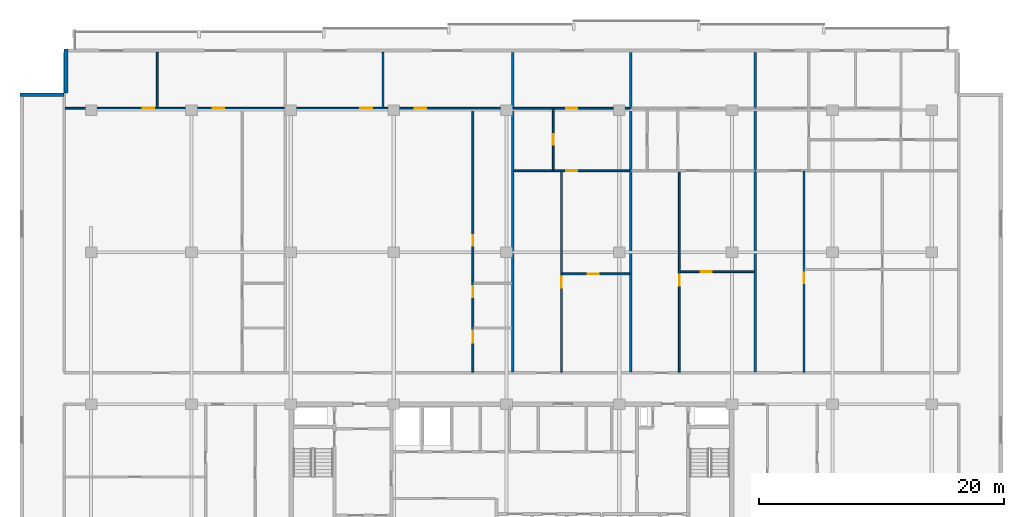
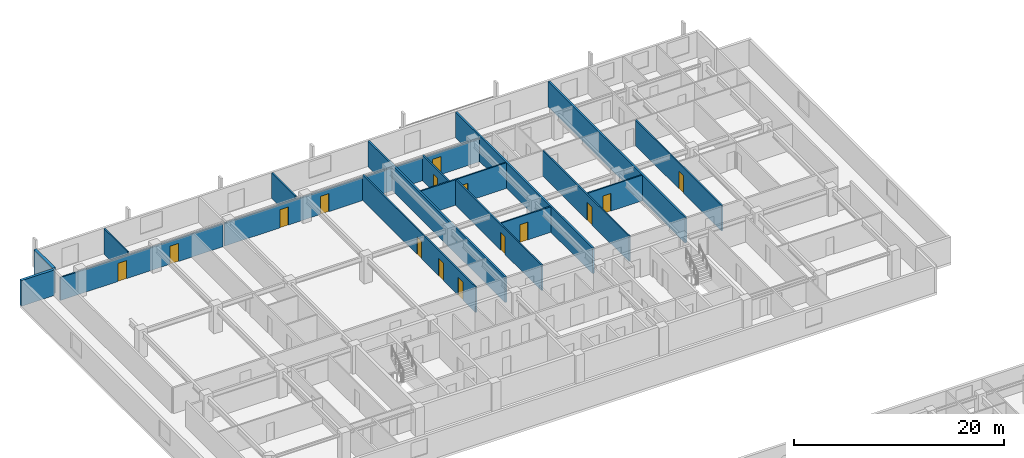
# One storey, part 13 of 21: 18 walls, 15 doors, 15 openings.
"""IFC4 building model written with IfcOpenShell, lengths in metres."""

import ifcopenshell
import ifcopenshell.guid

model = None  # the IFC model being written
_history = None  # IfcOwnerHistory: only IFC2X3 demands one
_inside = {}  # id of a spatial element -> (the spatial element, [elements in it])
_under = {}  # id of a project, library or spatial element -> (it, [spatial elements below it])
_declared = {}  # id of a project -> (the project, [libraries it declares])
_typed = {}  # id of a type object -> (the type object, [elements of that type])
_made_of = {}  # id of a material, layer set ... -> (it, [elements and type objects made of it])


def new_model(schema):
    """Start an empty IFC model of exactly this schema.

    Asked for "IFC4X3", IfcOpenShell would pick the latest addendum, in which some entities
    have other attributes; the version numbers below select the first issue.
    IFC2X3 requires an IfcOwnerHistory on every rooted entity: one is made here for all.
    """
    global model, _history
    if schema == "IFC4X3":
        model = ifcopenshell.file(schema_version=(4, 3, 0, 0))
    else:
        model = ifcopenshell.file(schema=schema)
    _inside.clear()
    _under.clear()
    _declared.clear()
    _typed.clear()
    _made_of.clear()
    _history = None
    if model.schema == "IFC2X3":
        org = make("IfcOrganization", Name="unknown")
        user = make(
            "IfcPersonAndOrganization",
            ThePerson=make("IfcPerson", FamilyName="unknown"),
            TheOrganization=org,
        )
        app = make(
            "IfcApplication",
            ApplicationDeveloper=org,
            Version="unknown",
            ApplicationFullName="unknown",
            ApplicationIdentifier="unknown",
        )
        _history = make(
            "IfcOwnerHistory",
            OwningUser=user,
            OwningApplication=app,
            ChangeAction="ADDED",
            CreationDate=0,
        )
    return model


def make(cls, **values):
    """One entity of the class cls with the attributes given. An attribute that is None is left unset."""
    return model.create_entity(
        cls, **{name: value for name, value in values.items() if value is not None}
    )


def rooted(cls, **values):
    """An entity with a GlobalId (a new one), such as an element, a storey or a relation."""
    return make(cls, GlobalId=ifcopenshell.guid.new(), OwnerHistory=_history, **values)


def si_unit(unit_type, name, prefix=None):
    """IfcSIUnit, for example si_unit("LENGTHUNIT", "METRE", prefix="MILLI")."""
    return make("IfcSIUnit", UnitType=unit_type, Prefix=prefix, Name=name)


def assignment(units):
    """IfcUnitAssignment: the units of a project."""
    return None if units is None else make("IfcUnitAssignment", Units=units)


def point(xyz):
    """IfcCartesianPoint."""
    return None if xyz is None else make("IfcCartesianPoint", Coordinates=xyz)


def direction(xyz):
    """IfcDirection."""
    return None if xyz is None else make("IfcDirection", DirectionRatios=xyz)


def frame(location, z_axis=None, x_axis=None):
    """IfcAxis2Placement3D, a coordinate frame: its origin and axes. An axis left out is left unset."""
    return make(
        "IfcAxis2Placement3D",
        Location=point(location),
        Axis=direction(z_axis),
        RefDirection=direction(x_axis),
    )


def frame_2d(location, x_axis=None):
    """IfcAxis2Placement2D, a coordinate frame in the plane: its origin and x axis."""
    return make(
        "IfcAxis2Placement2D", Location=point(location), RefDirection=direction(x_axis)
    )


def origin():
    """The frame at (0, 0, 0) with its axes left unset."""
    return frame((0.0, 0.0, 0.0))


def place(relative_to, where):
    """IfcLocalPlacement: puts the frame where relative to a parent placement (None: the world)."""
    return make(
        "IfcLocalPlacement", PlacementRelTo=relative_to, RelativePlacement=where
    )


def context(
    kind, dimensions, precision=None, world=None, true_north=None, identifier=None
):
    """IfcGeometricRepresentationContext, for example the 3D "Model" context."""
    return make(
        "IfcGeometricRepresentationContext",
        ContextIdentifier=identifier,
        ContextType=kind,
        CoordinateSpaceDimension=dimensions,
        Precision=precision,
        WorldCoordinateSystem=world,
        TrueNorth=true_north,
    )


def subcontext(parent, identifier, kind, view, scale=None):
    """IfcGeometricRepresentationSubContext, for example "Body" below "Model"."""
    return make(
        "IfcGeometricRepresentationSubContext",
        ContextIdentifier=identifier,
        ContextType=kind,
        ParentContext=parent,
        TargetScale=scale,
        TargetView=view,
    )


def project(units=None, contexts=None):
    """IfcProject with its units and contexts."""
    return rooted(
        "IfcProject",
        Name="project",
        RepresentationContexts=contexts,
        UnitsInContext=assignment(units),
    )


def spatial(cls, under=None, at=None, **own):
    """A site, building, storey or space (cls), placed at a placement, below another one or the project."""
    s = rooted(cls, ObjectPlacement=at, **own)
    if under is not None:
        _under.setdefault(under.id(), (under, []))[1].append(s)
    return s


def profile(cls, at=None, kind="AREA", **sizes):
    """A parametric profile (cls). Its sizes go by their IFC names, for example OverallWidth=200.0."""
    return make(cls, ProfileType=kind, Position=at, **sizes)


def rectangle(**sizes):
    """IfcRectangleProfileDef."""
    return profile("IfcRectangleProfileDef", **sizes)


def extrude(swept, where, along, depth):
    """IfcExtrudedAreaSolid: the profile swept, set in the frame where, extruded along a direction by depth."""
    return make(
        "IfcExtrudedAreaSolid",
        SweptArea=swept,
        Position=where,
        ExtrudedDirection=direction(along),
        Depth=depth,
    )


def shape(context_of_items, identifier, shape_type, items):
    """IfcShapeRepresentation: the items that make up one representation, for example the "Body"."""
    return make(
        "IfcShapeRepresentation",
        ContextOfItems=context_of_items,
        RepresentationIdentifier=identifier,
        RepresentationType=shape_type,
        Items=items,
    )


def material(Name=None, Category=None):
    """IfcMaterial."""
    return make("IfcMaterial", Name=Name, Category=Category)


def layer(
    of_material, thickness, ventilated=None, Name=None, Category=None, Priority=None
):
    """IfcMaterialLayer: one layer of a wall or slab, of a material (None: an air gap)."""
    return make(
        "IfcMaterialLayer",
        Material=of_material,
        LayerThickness=thickness,
        IsVentilated=ventilated,
        Name=Name,
        Category=Category,
        Priority=Priority,
    )


def layer_set(layers, Name=None):
    """IfcMaterialLayerSet."""
    return make("IfcMaterialLayerSet", MaterialLayers=layers, LayerSetName=Name)


def made_of(thing, what):
    """Note that an element or type object is made of a material, layer set ...; save() writes the relation."""
    if what is not None:
        _made_of.setdefault(what.id(), (what, []))[1].append(thing)
    return thing


def type_object(cls, material=None, **own):
    """A type object (cls), such as IfcWallType, which elements share."""
    return made_of(rooted(cls, **own), material)


def element(
    cls,
    number,
    at=None,
    inside=None,
    cuts=None,
    type_object=None,
    material=None,
    context=None,
    identifier="Body",
    shape_type=None,
    held_by="IfcProductDefinitionShape",
    body=None,
    shapes=None,
    **own,
):
    """One element of the class cls, such as IfcWall. Its Tag is "e" and its number.

    at: its placement. inside: the storey or other place that contains it. cuts: it is an
    opening in that element (IfcRelVoidsElement). A single representation is given by context,
    identifier, shape_type and body (its items); several are given by shapes. held_by: the class
    of the entity that holds the representations. save() writes the other relations.
    """
    e = rooted(cls, Tag="e%d" % number, ObjectPlacement=at, **own)
    if body is not None:
        shapes = [shape(context, identifier, shape_type, body)]
    if shapes is not None:
        e.Representation = make(held_by, Representations=shapes)
    if inside is not None:
        _inside.setdefault(inside.id(), (inside, []))[1].append(e)
    if cuts is not None:
        rooted(
            "IfcRelVoidsElement", RelatingBuildingElement=cuts, RelatedOpeningElement=e
        )
    if type_object is not None:
        _typed.setdefault(type_object.id(), (type_object, []))[1].append(e)
    return made_of(e, material)


def fill(opening, filler):
    """IfcRelFillsElement: the door or window that sits in an opening."""
    return rooted(
        "IfcRelFillsElement",
        RelatingOpeningElement=opening,
        RelatedBuildingElement=filler,
    )


def aggregate(whole, parts):
    """IfcRelAggregates: a whole, such as a stair, and the parts it consists of."""
    return rooted("IfcRelAggregates", RelatingObject=whole, RelatedObjects=parts)


def save(model, path):
    """Write the relations noted so far, then the file.

    IfcRelAggregates (storeys below a building ...), IfcRelContainedInSpatialStructure (elements
    in a storey), IfcRelDefinesByType, IfcRelAssociatesMaterial and IfcRelDeclares: one each for
    every whole, place, type object, material and project.
    """
    for whole, parts in _under.values():
        aggregate(whole, parts)
    for where, things in _inside.values():
        rooted(
            "IfcRelContainedInSpatialStructure",
            RelatedElements=things,
            RelatingStructure=where,
        )
    for kind, things in _typed.values():
        rooted("IfcRelDefinesByType", RelatedObjects=things, RelatingType=kind)
    for what, things in _made_of.values():
        rooted("IfcRelAssociatesMaterial", RelatedObjects=things, RelatingMaterial=what)
    for by, libraries in _declared.values():
        rooted("IfcRelDeclares", RelatingContext=by, RelatedDefinitions=libraries)
    model.write(path)


model = new_model("IFC4")

# Units and contexts
model_context = context("Model", 3, precision=1e-05, world=origin(), true_north=direction((0.0, 1.0)))
body_context = subcontext(model_context, "Body", "Model", "MODEL_VIEW")
ifc_project = project(units=[si_unit("LENGTHUNIT", "METRE"), si_unit("AREAUNIT", "SQUARE_METRE"), si_unit("VOLUMEUNIT", "CUBIC_METRE"), si_unit("PLANEANGLEUNIT", "RADIAN"), si_unit("MASSUNIT", "GRAM", prefix="KILO")], contexts=[model_context])

# Site, building, storey
site_placement = place(None, origin())
site = spatial("IfcSite", under=ifc_project, at=site_placement, CompositionType="ELEMENT")
building_placement = place(site_placement, origin())
building = spatial("IfcBuilding", under=site, at=building_placement, Name="Korimba Cascade Residences", CompositionType="ELEMENT")
storey_placement = place(building_placement, frame((0.0, 0.0, 100.300048828125)))
storey = spatial("IfcBuildingStorey", under=building, at=storey_placement, Name="L28", CompositionType="ELEMENT", Elevation=100.300048828125)

# Walls
ifc_material_1 = material(Name="Precast concrete C40/50", Category="concrete")
ifc_layer_1 = layer(ifc_material_1, 0.300048828125)
ifc_layer_set_1 = layer_set([ifc_layer_1], Name="Precast concrete C40/50")
wall_type_1 = type_object("IfcWallType", Name="EW-STONE-300", PredefinedType="STANDARD", material=ifc_layer_set_1)
wall_1_placement = place(storey_placement, frame((57.75, 96.199951171875, 0.0), z_axis=(0.0, 0.0, 1.0), x_axis=(0.0, -1.0, 0.0)))
element("IfcWall", 1, at=wall_1_placement, inside=storey, type_object=wall_type_1, Name="L28 T1 Perimeter Stone Wall E07", PredefinedType="STANDARD", context=body_context, shape_type="SweptSolid", body=[
    extrude(rectangle(XDim=3.599853515625, YDim=0.300048828125, at=frame_2d((1.7998046875, 0.0))), origin(), (0.0, 0.0, 1.0), 2.969970703125),
])
wall_2_placement = place(storey_placement, frame((57.60009765625, 92.449951171875, 0.0), z_axis=(0.0, 0.0, 1.0), x_axis=(-1.0, 0.0, 0.0)))
element("IfcWall", 2, at=wall_2_placement, inside=storey, type_object=wall_type_1, Name="L28 T1 Perimeter Stone Wall E08", PredefinedType="STANDARD", context=body_context, shape_type="SweptSolid", body=[
    extrude(rectangle(XDim=3.60009765625, YDim=0.300048828125, at=frame_2d((1.800048828125, 0.0))), origin(), (0.0, 0.0, 1.0), 2.969970703125),
])
ifc_layer_2 = layer(ifc_material_1, 0.199951171875)
ifc_layer_set_2 = layer_set([ifc_layer_2], Name="Precast concrete C40/50")
wall_type_2 = type_object("IfcWallType", Name="WAL-IT-200", PredefinedType="PARTITIONING", material=ifc_layer_set_2)
for number, where, z_axis, x_axis, name in (
    (3, (94.22509765625, 69.830078125, 0.0), (0.0, 0.0, 1.0), (0.0, 1.0, 0.0), "L28 Partition Wall WAL-L28-T1-DEM-2"),
    (4, (103.833984375, 69.830078125, 0.0), (0.0, 0.0, 1.0), (0.0, 1.0, 0.0), "L28 Partition Wall WAL-L28-T1-DEM-3"),
    (5, (114.00390625, 69.830078125, 0.0), (0.0, 0.0, 1.0), (0.0, 1.0, 0.0), "L28 Partition Wall WAL-L28-T1-DEM-4"),
):
    element("IfcWall", number, at=place(storey_placement, frame(where, z_axis=z_axis, x_axis=x_axis)), inside=storey, type_object=wall_type_2, Name=name, PredefinedType="PARTITIONING", context=body_context, shape_type="SweptSolid", body=[
        extrude(rectangle(XDim=26.06982421875, YDim=0.199951171875, at=frame_2d((13.034912109375, 0.0))), origin(), (0.0, 0.0, 1.0), 2.969970703125),
    ])
ifc_material_2 = material(Name="Insulated Acoustic Stud Partition", Category="gypsum")
ifc_layer_3 = layer(ifc_material_2, 0.14990234375)
ifc_layer_set_3 = layer_set([ifc_layer_3], Name="Insulated Acoustic Stud Partition")
wall_type_3 = type_object("IfcWallType", Name="WAL-PART-150", PredefinedType="PARTITIONING", material=ifc_layer_set_3)
wall_3_placement = place(storey_placement, frame((65.196044921875, 91.429931640625, 0.0), z_axis=(0.0, 0.0, 1.0), x_axis=(0.0, 1.0, 0.0)))
element("IfcWall", 6, at=wall_3_placement, inside=storey, type_object=wall_type_3, Name="L28 Partition Wall WAL-L28-T1-U01-OUTV", PredefinedType="PARTITIONING", context=body_context, shape_type="SweptSolid", body=[
    extrude(rectangle(XDim=4.469970703125, YDim=0.14990234375, at=frame_2d((2.23486328125, 0.0))), origin(), (0.0, 0.0, 1.0), 2.969970703125),
])

# Wall, openings, doors
wall_4_placement = place(storey_placement, frame((57.679931640625, 91.35009765625, 0.0), z_axis=(0.0, 0.0, 1.0), x_axis=(1.0, 0.0, 0.0)))
wall_4 = element("IfcWall", 7, at=wall_4_placement, inside=storey, type_object=wall_type_3, Name="L28 Partition Wall WAL-L28-T1-U01-HZ", PredefinedType="PARTITIONING", context=body_context, shape_type="SweptSolid", body=[
    extrude(rectangle(XDim=17.8720703125, YDim=0.14990234375, at=frame_2d((8.93603515625, 0.0))), origin(), (0.0, 0.0, 1.0), 2.663330078125),
])
opening_1_placement = place(wall_4_placement, frame((6.325927734375, 0.0, 0.0)))
opening_1 = element("IfcOpeningElement", 8, at=opening_1_placement, cuts=wall_4, Name="Opening D-IN0", PredefinedType="OPENING", context=body_context, shape_type="SweptSolid", body=[
    extrude(rectangle(XDim=0.93994140625, YDim=2.10009765625, at=frame_2d((0.469970703125, 1.050048828125))), frame((0.0, 0.0849609375, 0.0), z_axis=(0.0, -1.0, 0.0), x_axis=(1.0, 0.0, 0.0)), (0.0, 0.0, 1.0), 0.169921875),
])
opening_2_placement = place(wall_4_placement, frame((12.052978515625, 0.0, 0.0)))
opening_2 = element("IfcOpeningElement", 9, at=opening_2_placement, cuts=wall_4, Name="Opening D-IN0", PredefinedType="OPENING", context=body_context, shape_type="SweptSolid", body=[
    extrude(rectangle(XDim=0.93994140625, YDim=2.10009765625, at=frame_2d((0.469970703125, 1.050048828125))), frame((0.0, 0.0849609375, 0.0), z_axis=(0.0, -1.0, 0.0), x_axis=(1.0, 0.0, 0.0)), (0.0, 0.0, 1.0), 0.169921875),
])
ifc_material_3 = material(Name="Acoustic Timber Living Archway Door", Category="wood")
door_type_1 = type_object("IfcDoorType", Name="DR-INT-950", OperationType="NOTDEFINED", PredefinedType="DOOR", material=ifc_material_3)
door_1_placement = place(opening_1_placement, origin())
door_1 = element("IfcDoor", 10, at=door_1_placement, inside=storey, type_object=door_type_1, Name="L28-T1-U01 Resident Boardroom Door", OperationType="SINGLE_SWING_LEFT", OverallHeight=2.10009765625, OverallWidth=0.93994140625, PredefinedType="DOOR", context=body_context, shape_type="SweptSolid", body=[
    extrude(rectangle(XDim=0.93994140625, YDim=2.10009765625, at=frame_2d((0.469970703125, 1.050048828125))), frame((0.0, 0.02490234375, 0.0), z_axis=(0.0, -1.0, 0.0), x_axis=(1.0, 0.0, 0.0)), (0.0, 0.0, 1.0), 0.050048828125),
])
fill(opening_1, door_1)
door_2_placement = place(opening_2_placement, origin())
door_2 = element("IfcDoor", 11, at=door_2_placement, inside=storey, type_object=door_type_1, Name="L28-T1-U01 Executive Seminar Room Door", OperationType="SINGLE_SWING_RIGHT", OverallHeight=2.10009765625, OverallWidth=0.93994140625, PredefinedType="DOOR", context=body_context, shape_type="SweptSolid", body=[
    extrude(rectangle(XDim=0.93994140625, YDim=2.10009765625, at=frame_2d((0.469970703125, 1.050048828125))), frame((0.0, 0.02490234375, 0.0), z_axis=(0.0, -1.0, 0.0), x_axis=(1.0, 0.0, 0.0)), (0.0, 0.0, 1.0), 0.050048828125),
])
fill(opening_2, door_2)

wall_5_placement = place(storey_placement, frame((90.955078125, 69.81005859375, 0.0), z_axis=(0.0, 0.0, 1.0), x_axis=(0.0, 1.0, 0.0)))
wall_5 = element("IfcWall", 12, at=wall_5_placement, inside=storey, type_object=wall_type_3, Name="L28 Partition Wall WAL-L28-T1-U02-WCV", PredefinedType="PARTITIONING", context=body_context, shape_type="SweptSolid", body=[
    extrude(rectangle(XDim=21.47998046875, YDim=0.14990234375, at=frame_2d((10.739990234375, 0.0))), origin(), (0.0, 0.0, 1.0), 2.969970703125),
])
opening_3_placement = place(wall_5_placement, frame((2.406005859375, 0.0, 0.0)))
opening_3 = element("IfcOpeningElement", 13, at=opening_3_placement, cuts=wall_5, Name="Opening D-AC1", PredefinedType="OPENING", context=body_context, shape_type="SweptSolid", body=[
    extrude(rectangle(XDim=0.9599609375, YDim=2.10009765625, at=frame_2d((0.47998046875, 1.050048828125))), frame((0.0, 0.0849609375, 0.0), z_axis=(0.0, -1.0, 0.0), x_axis=(1.0, 0.0, 0.0)), (0.0, 0.0, 1.0), 0.169921875),
])
opening_4_placement = place(wall_5_placement, frame((6.132568359375, 0.0, 0.0)))
opening_4 = element("IfcOpeningElement", 14, at=opening_4_placement, cuts=wall_5, Name="Opening D-IN2", PredefinedType="OPENING", context=body_context, shape_type="SweptSolid", body=[
    extrude(rectangle(XDim=0.8798828125, YDim=2.06005859375, at=frame_2d((0.43994140625, 1.030029296875))), frame((0.0, 0.0849609375, 0.0), z_axis=(0.0, -1.0, 0.0), x_axis=(1.0, 0.0, 0.0)), (0.0, 0.0, 1.0), 0.169921875),
])
opening_5_placement = place(wall_5_placement, frame((10.320068359375, 0.0, 0.0)))
opening_5 = element("IfcOpeningElement", 15, at=opening_5_placement, cuts=wall_5, Name="Opening D-BT1", PredefinedType="OPENING", context=body_context, shape_type="SweptSolid", body=[
    extrude(rectangle(XDim=0.840087890625, YDim=2.0400390625, at=frame_2d((0.419921875, 1.02001953125))), frame((0.0, 0.0849609375, 0.0), z_axis=(0.0, -1.0, 0.0), x_axis=(1.0, 0.0, 0.0)), (0.0, 0.0, 1.0), 0.169921875),
])
ifc_material_4 = material(Name="Accessible Acoustic Timber WC Door", Category="wood")
door_type_2 = type_object("IfcDoorType", Name="DR-ACC-950", OperationType="NOTDEFINED", PredefinedType="DOOR", material=ifc_material_4)
door_3_placement = place(opening_3_placement, origin())
door_3 = element("IfcDoor", 16, at=door_3_placement, inside=storey, type_object=door_type_2, Name="L28-T1-U02 Accessible WC Door", OperationType="SINGLE_SWING_LEFT", OverallHeight=2.10009765625, OverallWidth=0.9599609375, PredefinedType="DOOR", context=body_context, shape_type="SweptSolid", body=[
    extrude(rectangle(XDim=0.9599609375, YDim=2.10009765625, at=frame_2d((0.47998046875, 1.050048828125))), frame((0.0, 0.02490234375, 0.0), z_axis=(0.0, -1.0, 0.0), x_axis=(1.0, 0.0, 0.0)), (0.0, 0.0, 1.0), 0.050048828125),
])
fill(opening_3, door_3)
ifc_material_5 = material(Name="Moisture-Resistant Bathroom Timber Door", Category="wood")
door_type_3 = type_object("IfcDoorType", Name="DR-INT-850", OperationType="NOTDEFINED", PredefinedType="DOOR", material=ifc_material_5)
door_4_placement = place(opening_5_placement, origin())
door_4 = element("IfcDoor", 17, at=door_4_placement, inside=storey, type_object=door_type_3, Name="L28-T1-U02 Suite Store Door", OperationType="SINGLE_SWING_LEFT", OverallHeight=2.0400390625, OverallWidth=0.840087890625, PredefinedType="DOOR", context=body_context, shape_type="SweptSolid", body=[
    extrude(rectangle(XDim=0.840087890625, YDim=2.0400390625, at=frame_2d((0.419921875, 1.02001953125))), frame((0.0, 0.02490234375, 0.0), z_axis=(0.0, -1.0, 0.0), x_axis=(1.0, 0.0, 0.0)), (0.0, 0.0, 1.0), 0.050048828125),
])
fill(opening_5, door_4)
ifc_material_6 = material(Name="Acoustic Timber Bedroom Door", Category="wood")
door_type_4 = type_object("IfcDoorType", Name="DR-INT-880", OperationType="NOTDEFINED", PredefinedType="DOOR", material=ifc_material_6)
door_5_placement = place(opening_4_placement, origin())
door_5 = element("IfcDoor", 18, at=door_5_placement, inside=storey, type_object=door_type_4, Name="L28-T1-U02 Restroom WC Door", OperationType="SINGLE_SWING_RIGHT", OverallHeight=2.06005859375, OverallWidth=0.8798828125, PredefinedType="DOOR", context=body_context, shape_type="SweptSolid", body=[
    extrude(rectangle(XDim=0.8798828125, YDim=2.06005859375, at=frame_2d((0.43994140625, 1.030029296875))), frame((0.0, 0.02490234375, 0.0), z_axis=(0.0, -1.0, 0.0), x_axis=(1.0, 0.0, 0.0)), (0.0, 0.0, 1.0), 0.050048828125),
])
fill(opening_4, door_5)

# Wall
wall_6_placement = place(storey_placement, frame((83.62353515625, 91.429931640625, 0.0), z_axis=(0.0, 0.0, 1.0), x_axis=(0.0, 1.0, 0.0)))
element("IfcWall", 19, at=wall_6_placement, inside=storey, type_object=wall_type_3, Name="L28 Partition Wall WAL-L28-T1-U02-OUTV", PredefinedType="PARTITIONING", context=body_context, shape_type="SweptSolid", body=[
    extrude(rectangle(XDim=4.469970703125, YDim=0.14990234375, at=frame_2d((2.23486328125, 0.0))), origin(), (0.0, 0.0, 1.0), 2.969970703125),
])

# Wall, openings, doors
wall_7_placement = place(storey_placement, frame((75.712158203125, 91.35009765625, 0.0), z_axis=(0.0, 0.0, 1.0), x_axis=(1.0, 0.0, 0.0)))
wall_7 = element("IfcWall", 20, at=wall_7_placement, inside=storey, type_object=wall_type_3, Name="L28 Partition Wall WAL-L28-T1-U02-HZ", PredefinedType="PARTITIONING", context=body_context, shape_type="SweptSolid", body=[
    extrude(rectangle(XDim=18.432861328125, YDim=0.14990234375, at=frame_2d((9.21630859375, 0.0))), origin(), (0.0, 0.0, 1.0), 2.663330078125),
])
opening_6_placement = place(wall_7_placement, frame((6.07421875, 0.0, 0.0)))
opening_6 = element("IfcOpeningElement", 21, at=opening_6_placement, cuts=wall_7, Name="Opening D-IN0", PredefinedType="OPENING", context=body_context, shape_type="SweptSolid", body=[
    extrude(rectangle(XDim=0.93994140625, YDim=2.10009765625, at=frame_2d((0.469970703125, 1.050048828125))), frame((0.0, 0.0849609375, 0.0), z_axis=(0.0, -1.0, 0.0), x_axis=(1.0, 0.0, 0.0)), (0.0, 0.0, 1.0), 0.169921875),
])
opening_7_placement = place(wall_7_placement, frame((10.51806640625, 0.0, 0.0)))
opening_7 = element("IfcOpeningElement", 22, at=opening_7_placement, cuts=wall_7, Name="Opening D-IN0", PredefinedType="OPENING", context=body_context, shape_type="SweptSolid", body=[
    extrude(rectangle(XDim=0.93994140625, YDim=2.10009765625, at=frame_2d((0.469970703125, 1.050048828125))), frame((0.0, 0.0849609375, 0.0), z_axis=(0.0, -1.0, 0.0), x_axis=(1.0, 0.0, 0.0)), (0.0, 0.0, 1.0), 0.169921875),
])
door_6_placement = place(opening_6_placement, origin())
door_6 = element("IfcDoor", 23, at=door_6_placement, inside=storey, type_object=door_type_1, Name="L28-T1-U02 Resident Boardroom Door", OperationType="SINGLE_SWING_RIGHT", OverallHeight=2.10009765625, OverallWidth=0.93994140625, PredefinedType="DOOR", context=body_context, shape_type="SweptSolid", body=[
    extrude(rectangle(XDim=0.93994140625, YDim=2.10009765625, at=frame_2d((0.469970703125, 1.050048828125))), frame((0.0, 0.02490234375, 0.0), z_axis=(0.0, -1.0, 0.0), x_axis=(1.0, 0.0, 0.0)), (0.0, 0.0, 1.0), 0.050048828125),
])
fill(opening_6, door_6)
door_7_placement = place(opening_7_placement, origin())
door_7 = element("IfcDoor", 24, at=door_7_placement, inside=storey, type_object=door_type_1, Name="L28-T1-U02 Executive Seminar Room Door", OperationType="SINGLE_SWING_LEFT", OverallHeight=2.10009765625, OverallWidth=0.93994140625, PredefinedType="DOOR", context=body_context, shape_type="SweptSolid", body=[
    extrude(rectangle(XDim=0.93994140625, YDim=2.10009765625, at=frame_2d((0.469970703125, 1.050048828125))), frame((0.0, 0.02490234375, 0.0), z_axis=(0.0, -1.0, 0.0), x_axis=(1.0, 0.0, 0.0)), (0.0, 0.0, 1.0), 0.050048828125),
])
fill(opening_7, door_7)

# Wall, opening, door
wall_8_placement = place(storey_placement, frame((98.2548828125, 77.830078125, 0.0), z_axis=(0.0, 0.0, 1.0), x_axis=(1.0, 0.0, 0.0)))
wall_8 = element("IfcWall", 25, at=wall_8_placement, inside=storey, type_object=wall_type_3, Name="L28 Partition Wall WAL-L28-T1-U03-FMH", PredefinedType="PARTITIONING", context=body_context, shape_type="SweptSolid", body=[
    extrude(rectangle(XDim=5.4990234375, YDim=0.14990234375, at=frame_2d((2.74951171875, 0.0))), origin(), (0.0, 0.0, 1.0), 2.969970703125),
])
opening_8_placement = place(wall_8_placement, frame((2.074462890625, 0.0, 0.0)))
opening_8 = element("IfcOpeningElement", 26, at=opening_8_placement, cuts=wall_8, Name="Opening D-IN2", PredefinedType="OPENING", context=body_context, shape_type="SweptSolid", body=[
    extrude(rectangle(XDim=0.8798828125, YDim=2.06005859375, at=frame_2d((0.43994140625, 1.030029296875))), frame((0.0, 0.0849609375, 0.0), z_axis=(0.0, -1.0, 0.0), x_axis=(1.0, 0.0, 0.0)), (0.0, 0.0, 1.0), 0.169921875),
])
door_8_placement = place(opening_8_placement, origin())
door_8 = element("IfcDoor", 27, at=door_8_placement, inside=storey, type_object=door_type_4, Name="L28-T1-U03 Library Salon Door", OperationType="SINGLE_SWING_RIGHT", OverallHeight=2.06005859375, OverallWidth=0.8798828125, PredefinedType="DOOR", context=body_context, shape_type="SweptSolid", body=[
    extrude(rectangle(XDim=0.8798828125, YDim=2.06005859375, at=frame_2d((0.43994140625, 1.030029296875))), frame((0.0, 0.02490234375, 0.0), z_axis=(0.0, -1.0, 0.0), x_axis=(1.0, 0.0, 0.0)), (0.0, 0.0, 1.0), 0.050048828125),
])
fill(opening_8, door_8)

wall_9_placement = place(storey_placement, frame((98.195068359375, 69.81005859375, 0.0), z_axis=(0.0, 0.0, 1.0), x_axis=(0.0, 1.0, 0.0)))
wall_9 = element("IfcWall", 28, at=wall_9_placement, inside=storey, type_object=wall_type_3, Name="L28 Partition Wall WAL-L28-T1-U03-FV", PredefinedType="PARTITIONING", context=body_context, shape_type="SweptSolid", body=[
    extrude(rectangle(XDim=16.39990234375, YDim=0.14990234375, at=frame_2d((8.199951171875, 0.0))), origin(), (0.0, 0.0, 1.0), 2.969970703125),
])
opening_9_placement = place(wall_9_placement, frame((6.889892578125, 0.0, 0.0)))
opening_9 = element("IfcOpeningElement", 29, at=opening_9_placement, cuts=wall_9, Name="Opening D-IN2", PredefinedType="OPENING", context=body_context, shape_type="SweptSolid", body=[
    extrude(rectangle(XDim=0.8798828125, YDim=2.06005859375, at=frame_2d((0.43994140625, 1.030029296875))), frame((0.0, 0.0849609375, 0.0), z_axis=(0.0, -1.0, 0.0), x_axis=(1.0, 0.0, 0.0)), (0.0, 0.0, 1.0), 0.169921875),
])
door_9_placement = place(opening_9_placement, origin())
door_9 = element("IfcDoor", 30, at=door_9_placement, inside=storey, type_object=door_type_4, Name="L28-T1-U03 Media Lounge Door", OperationType="SINGLE_SWING_LEFT", OverallHeight=2.06005859375, OverallWidth=0.8798828125, PredefinedType="DOOR", context=body_context, shape_type="SweptSolid", body=[
    extrude(rectangle(XDim=0.8798828125, YDim=2.06005859375, at=frame_2d((0.43994140625, 1.030029296875))), frame((0.0, 0.02490234375, 0.0), z_axis=(0.0, -1.0, 0.0), x_axis=(1.0, 0.0, 0.0)), (0.0, 0.0, 1.0), 0.050048828125),
])
fill(opening_9, door_9)

wall_10_placement = place(storey_placement, frame((97.513916015625, 86.2900390625, 0.0), z_axis=(0.0, 0.0, 1.0), x_axis=(0.0, 1.0, 0.0)))
wall_10 = element("IfcWall", 31, at=wall_10_placement, inside=storey, type_object=wall_type_3, Name="L28 Partition Wall WAL-L28-T1-U03-BM", PredefinedType="PARTITIONING", context=body_context, shape_type="SweptSolid", body=[
    extrude(rectangle(XDim=5.0, YDim=0.14990234375, at=frame_2d((2.5, 0.0))), origin(), (0.0, 0.0, 1.0), 2.969970703125),
])
opening_10_placement = place(wall_10_placement, frame((2.080078125, 0.0, 0.0)))
opening_10 = element("IfcOpeningElement", 32, at=opening_10_placement, cuts=wall_10, Name="Opening D-BT1", PredefinedType="OPENING", context=body_context, shape_type="SweptSolid", body=[
    extrude(rectangle(XDim=0.840087890625, YDim=2.0400390625, at=frame_2d((0.419921875, 1.02001953125))), frame((0.0, 0.0849609375, 0.0), z_axis=(0.0, -1.0, 0.0), x_axis=(1.0, 0.0, 0.0)), (0.0, 0.0, 1.0), 0.169921875),
])
door_10_placement = place(opening_10_placement, origin())
door_10 = element("IfcDoor", 33, at=door_10_placement, inside=storey, type_object=door_type_3, Name="L28-T1-U03 Bathroom Door", OperationType="SINGLE_SWING_RIGHT", OverallHeight=2.0400390625, OverallWidth=0.840087890625, PredefinedType="DOOR", context=body_context, shape_type="SweptSolid", body=[
    extrude(rectangle(XDim=0.840087890625, YDim=2.0400390625, at=frame_2d((0.419921875, 1.02001953125))), frame((0.0, 0.02490234375, 0.0), z_axis=(0.0, -1.0, 0.0), x_axis=(1.0, 0.0, 0.0)), (0.0, 0.0, 1.0), 0.050048828125),
])
fill(opening_10, door_10)

wall_11_placement = place(storey_placement, frame((94.304931640625, 86.25, 0.0), z_axis=(0.0, 0.0, 1.0), x_axis=(1.0, 0.0, 0.0)))
wall_11 = element("IfcWall", 34, at=wall_11_placement, inside=storey, type_object=wall_type_3, Name="L28 Partition Wall WAL-L28-T1-U03-MW", PredefinedType="PARTITIONING", context=body_context, shape_type="SweptSolid", body=[
    extrude(rectangle(XDim=9.448974609375, YDim=0.14990234375, at=frame_2d((4.724609375, 0.0))), origin(), (0.0, 0.0, 1.0), 2.969970703125),
])
opening_11_placement = place(wall_11_placement, frame((4.264404296875, 0.0, 0.0)))
opening_11 = element("IfcOpeningElement", 35, at=opening_11_placement, cuts=wall_11, Name="Opening D-IN1", PredefinedType="OPENING", context=body_context, shape_type="SweptSolid", body=[
    extrude(rectangle(XDim=0.919921875, YDim=2.080078125, at=frame_2d((0.4599609375, 1.0400390625))), frame((0.0, 0.0849609375, 0.0), z_axis=(0.0, -1.0, 0.0), x_axis=(1.0, 0.0, 0.0)), (0.0, 0.0, 1.0), 0.169921875),
])
ifc_material_7 = material(Name="Acoustic Timber Living Door", Category="wood")
door_type_5 = type_object("IfcDoorType", Name="DR-INT-920", OperationType="NOTDEFINED", PredefinedType="DOOR", material=ifc_material_7)
door_11_placement = place(opening_11_placement, origin())
door_11 = element("IfcDoor", 36, at=door_11_placement, inside=storey, type_object=door_type_5, Name="L28-T1-U03 Studio Kitchen Door", OperationType="SINGLE_SWING_LEFT", OverallHeight=2.080078125, OverallWidth=0.919921875, PredefinedType="DOOR", context=body_context, shape_type="SweptSolid", body=[
    extrude(rectangle(XDim=0.919921875, YDim=2.080078125, at=frame_2d((0.4599609375, 1.0400390625))), frame((0.0, 0.02490234375, 0.0), z_axis=(0.0, -1.0, 0.0), x_axis=(1.0, 0.0, 0.0)), (0.0, 0.0, 1.0), 0.050048828125),
])
fill(opening_11, door_11)

wall_12_placement = place(storey_placement, frame((94.304931640625, 91.35009765625, 0.0), z_axis=(0.0, 0.0, 1.0), x_axis=(1.0, 0.0, 0.0)))
wall_12 = element("IfcWall", 37, at=wall_12_placement, inside=storey, type_object=wall_type_3, Name="L28 Partition Wall WAL-L28-T1-U03-HZ", PredefinedType="PARTITIONING", context=body_context, shape_type="SweptSolid", body=[
    extrude(rectangle(XDim=9.448974609375, YDim=0.14990234375, at=frame_2d((4.724609375, 0.0))), origin(), (0.0, 0.0, 1.0), 2.663330078125),
])
opening_12_placement = place(wall_12_placement, frame((4.264404296875, 0.0, 0.0)))
opening_12 = element("IfcOpeningElement", 38, at=opening_12_placement, cuts=wall_12, Name="Opening D-IN1", PredefinedType="OPENING", context=body_context, shape_type="SweptSolid", body=[
    extrude(rectangle(XDim=0.919921875, YDim=2.080078125, at=frame_2d((0.4599609375, 1.0400390625))), frame((0.0, 0.0849609375, 0.0), z_axis=(0.0, -1.0, 0.0), x_axis=(1.0, 0.0, 0.0)), (0.0, 0.0, 1.0), 0.169921875),
])
door_12_placement = place(opening_12_placement, origin())
door_12 = element("IfcDoor", 39, at=door_12_placement, inside=storey, type_object=door_type_5, Name="L28-T1-U03 Studio Door", OperationType="SINGLE_SWING_RIGHT", OverallHeight=2.080078125, OverallWidth=0.919921875, PredefinedType="DOOR", context=body_context, shape_type="SweptSolid", body=[
    extrude(rectangle(XDim=0.919921875, YDim=2.080078125, at=frame_2d((0.4599609375, 1.0400390625))), frame((0.0, 0.02490234375, 0.0), z_axis=(0.0, -1.0, 0.0), x_axis=(1.0, 0.0, 0.0)), (0.0, 0.0, 1.0), 0.050048828125),
])
fill(opening_12, door_12)

wall_13_placement = place(storey_placement, frame((107.864013671875, 78.010009765625, 0.0), z_axis=(0.0, 0.0, 1.0), x_axis=(1.0, 0.0, 0.0)))
wall_13 = element("IfcWall", 40, at=wall_13_placement, inside=storey, type_object=wall_type_3, Name="L28 Partition Wall WAL-L28-T1-U04-FMH", PredefinedType="PARTITIONING", context=body_context, shape_type="SweptSolid", body=[
    extrude(rectangle(XDim=6.059814453125, YDim=0.14990234375, at=frame_2d((3.02978515625, 0.0))), origin(), (0.0, 0.0, 1.0), 2.969970703125),
])
opening_13_placement = place(wall_13_placement, frame((1.694091796875, 0.0, 0.0)))
opening_13 = element("IfcOpeningElement", 41, at=opening_13_placement, cuts=wall_13, Name="Opening D-IN2", PredefinedType="OPENING", context=body_context, shape_type="SweptSolid", body=[
    extrude(rectangle(XDim=0.8798828125, YDim=2.06005859375, at=frame_2d((0.43994140625, 1.030029296875))), frame((0.0, 0.0849609375, 0.0), z_axis=(0.0, -1.0, 0.0), x_axis=(1.0, 0.0, 0.0)), (0.0, 0.0, 1.0), 0.169921875),
])
door_13_placement = place(opening_13_placement, origin())
door_13 = element("IfcDoor", 42, at=door_13_placement, inside=storey, type_object=door_type_4, Name="L28-T1-U04 Library Salon Door", OperationType="SINGLE_SWING_LEFT", OverallHeight=2.06005859375, OverallWidth=0.8798828125, PredefinedType="DOOR", context=body_context, shape_type="SweptSolid", body=[
    extrude(rectangle(XDim=0.8798828125, YDim=2.06005859375, at=frame_2d((0.43994140625, 1.030029296875))), frame((0.0, 0.02490234375, 0.0), z_axis=(0.0, -1.0, 0.0), x_axis=(1.0, 0.0, 0.0)), (0.0, 0.0, 1.0), 0.050048828125),
])
fill(opening_13, door_13)

wall_14_placement = place(storey_placement, frame((107.803955078125, 69.81005859375, 0.0), z_axis=(0.0, 0.0, 1.0), x_axis=(0.0, 1.0, 0.0)))
wall_14 = element("IfcWall", 43, at=wall_14_placement, inside=storey, type_object=wall_type_3, Name="L28 Partition Wall WAL-L28-T1-U04-FV", PredefinedType="PARTITIONING", context=body_context, shape_type="SweptSolid", body=[
    extrude(rectangle(XDim=16.39990234375, YDim=0.14990234375, at=frame_2d((8.199951171875, 0.0))), origin(), (0.0, 0.0, 1.0), 2.969970703125),
])
opening_14_placement = place(wall_14_placement, frame((7.070068359375, 0.0, 0.0)))
opening_14 = element("IfcOpeningElement", 44, at=opening_14_placement, cuts=wall_14, Name="Opening D-IN2", PredefinedType="OPENING", context=body_context, shape_type="SweptSolid", body=[
    extrude(rectangle(XDim=0.8798828125, YDim=2.06005859375, at=frame_2d((0.43994140625, 1.030029296875))), frame((0.0, 0.0849609375, 0.0), z_axis=(0.0, -1.0, 0.0), x_axis=(1.0, 0.0, 0.0)), (0.0, 0.0, 1.0), 0.169921875),
])
door_14_placement = place(opening_14_placement, origin())
door_14 = element("IfcDoor", 45, at=door_14_placement, inside=storey, type_object=door_type_4, Name="L28-T1-U04 Media Lounge Door", OperationType="SINGLE_SWING_RIGHT", OverallHeight=2.06005859375, OverallWidth=0.8798828125, PredefinedType="DOOR", context=body_context, shape_type="SweptSolid", body=[
    extrude(rectangle(XDim=0.8798828125, YDim=2.06005859375, at=frame_2d((0.43994140625, 1.030029296875))), frame((0.0, 0.02490234375, 0.0), z_axis=(0.0, -1.0, 0.0), x_axis=(1.0, 0.0, 0.0)), (0.0, 0.0, 1.0), 0.050048828125),
])
fill(opening_14, door_14)

wall_15_placement = place(storey_placement, frame((117.973876953125, 69.81005859375, 0.0), z_axis=(0.0, 0.0, 1.0), x_axis=(0.0, 1.0, 0.0)))
wall_15 = element("IfcWall", 46, at=wall_15_placement, inside=storey, type_object=wall_type_3, Name="L28 Partition Wall WAL-L28-T1-U05-FV", PredefinedType="PARTITIONING", context=body_context, shape_type="SweptSolid", body=[
    extrude(rectangle(XDim=16.39990234375, YDim=0.14990234375, at=frame_2d((8.199951171875, 0.0))), origin(), (0.0, 0.0, 1.0), 2.969970703125),
])
opening_15_placement = place(wall_15_placement, frame((7.25, 0.0, 0.0)))
opening_15 = element("IfcOpeningElement", 47, at=opening_15_placement, cuts=wall_15, Name="Opening D-IN2", PredefinedType="OPENING", context=body_context, shape_type="SweptSolid", body=[
    extrude(rectangle(XDim=0.8798828125, YDim=2.06005859375, at=frame_2d((0.43994140625, 1.030029296875))), frame((0.0, 0.0849609375, 0.0), z_axis=(0.0, -1.0, 0.0), x_axis=(1.0, 0.0, 0.0)), (0.0, 0.0, 1.0), 0.169921875),
])
door_15_placement = place(opening_15_placement, origin())
door_15 = element("IfcDoor", 48, at=door_15_placement, inside=storey, type_object=door_type_4, Name="L28-T1-U05 Media Lounge Door", OperationType="SINGLE_SWING_RIGHT", OverallHeight=2.06005859375, OverallWidth=0.8798828125, PredefinedType="DOOR", context=body_context, shape_type="SweptSolid", body=[
    extrude(rectangle(XDim=0.8798828125, YDim=2.06005859375, at=frame_2d((0.43994140625, 1.030029296875))), frame((0.0, 0.02490234375, 0.0), z_axis=(0.0, -1.0, 0.0), x_axis=(1.0, 0.0, 0.0)), (0.0, 0.0, 1.0), 0.050048828125),
])
fill(opening_15, door_15)

save(model, "model.ifc")
